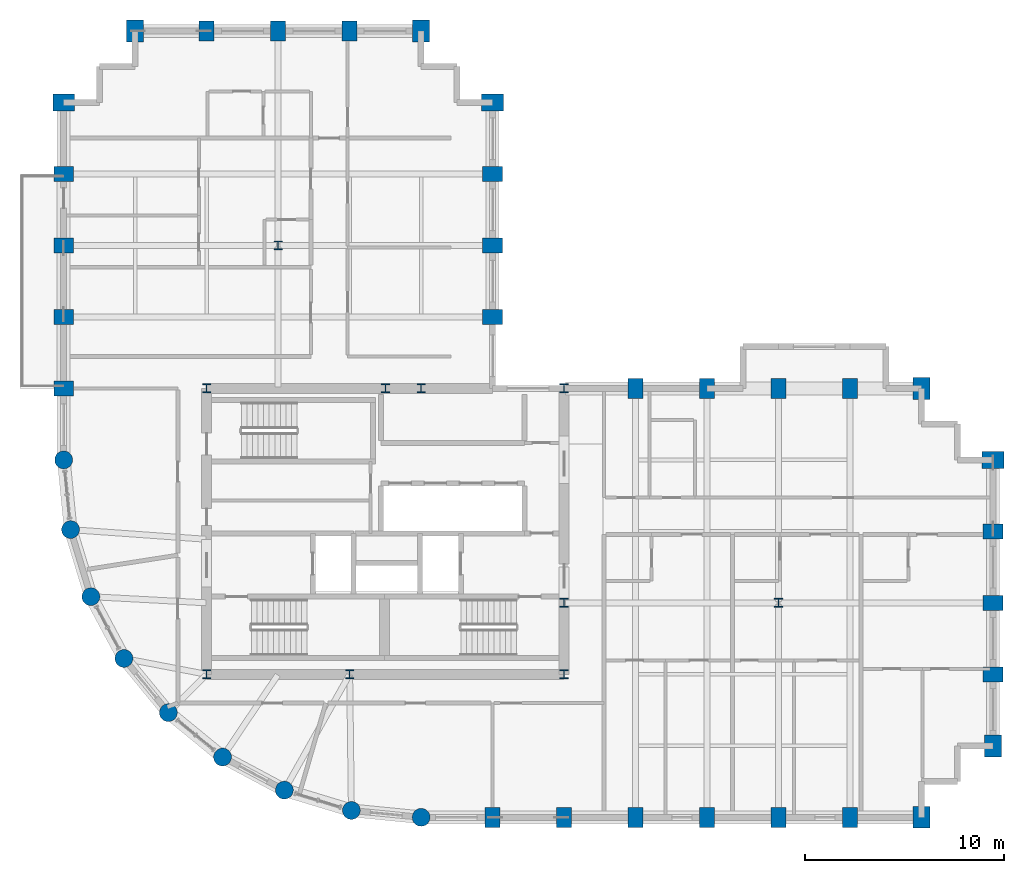
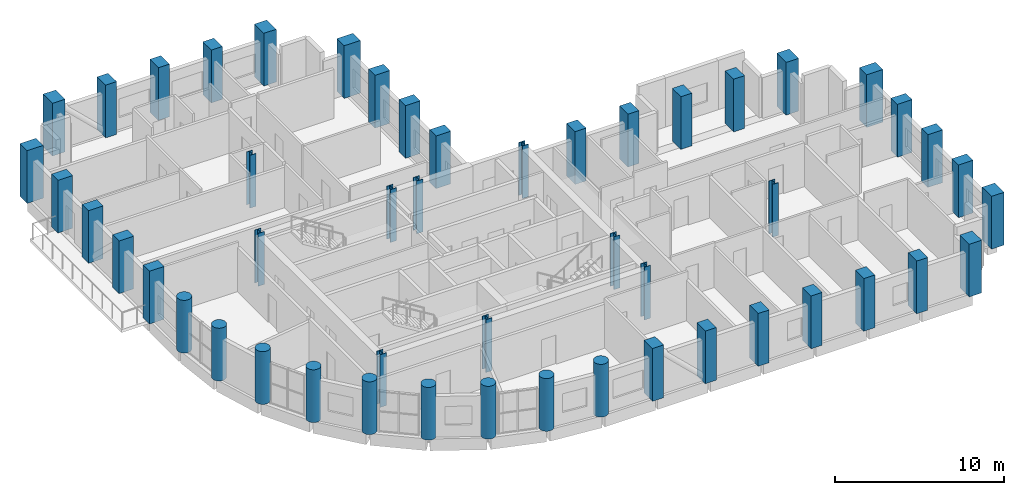
# One storey, part 1 of 15: 50 columns.
"""IFC4 building model written with IfcOpenShell, lengths in metres."""

from ifc_helpers import new_model, si_unit, direction, frame, origin, origin_2d, place, context, subcontext, project, spatial, rectangle, circle, i_section, extrude, material, material_profile, profile_set, type_object, element, save


model = new_model("IFC4")

# Units and contexts
model_context = context("Model", 3, precision=1e-05, world=origin(), true_north=direction((0.0, 1.0)))
body_context = subcontext(model_context, "Body", "Model", "MODEL_VIEW")
ifc_project = project(units=[si_unit("LENGTHUNIT", "METRE"), si_unit("AREAUNIT", "SQUARE_METRE"), si_unit("VOLUMEUNIT", "CUBIC_METRE"), si_unit("PLANEANGLEUNIT", "RADIAN"), si_unit("MASSUNIT", "GRAM", prefix="KILO")], contexts=[model_context])

# Site, building, storey
site_placement = place(None, origin())
site = spatial("IfcSite", under=ifc_project, at=site_placement, CompositionType="ELEMENT")
building_placement = place(site_placement, origin())
building = spatial("IfcBuilding", under=site, at=building_placement, Name="Solnavia Interchange Tower", CompositionType="ELEMENT")
storey_placement = place(building_placement, frame((0.0, 0.0, 146.60009765625)))
storey = spatial("IfcBuildingStorey", under=building, at=storey_placement, Name="L36", CompositionType="ELEMENT", Elevation=146.60009765625)

# Columns
ifc_material_1 = material(Name="Concrete C50/60", Category="concrete")
ifc_material_profile_1 = material_profile(ifc_material_1, rectangle(XDim=0.75, YDim=1.0, at=origin_2d()), Name="RC 1000x750")
ifc_profile_set_1 = profile_set([ifc_material_profile_1], Name="Concrete C50/60")
column_type_1 = type_object("IfcColumnType", Name="Col-RC-1000x750", PredefinedType="COLUMN", material=ifc_profile_set_1)
for number, where, z_axis, x_axis, name in (
    (1, (7.199951171875, 25.199951171875, 0.0), (0.0, 0.0, 1.0), (0.0, 1.0, 0.0), "COL-L36-02 Tower perim y column"),
    (2, (7.199951171875, 28.800048828125, 0.0), (0.0, 0.0, 1.0), (0.0, 1.0, 0.0), "COL-L36-03 Tower perim y column"),
    (3, (7.199951171875, 32.39990234375, 0.0), (0.0, 0.0, 1.0), (0.0, 1.0, 0.0), "COL-L36-04 Tower perim y column"),
    (4, (7.199951171875, 36.0, 0.0), (0.0, 0.0, 1.0), (0.0, 1.0, 0.0), "COL-L36-05 Tower perim y column"),
    (5, (14.39990234375, 43.199951171875, 0.0), (0.0, 0.0, 1.0), (1.0, 0.0, 0.0), "COL-L36-14 Tower perim x column"),
    (6, (18.0, 43.199951171875, 0.0), (0.0, 0.0, 1.0), (1.0, 0.0, 0.0), "COL-L36-17 Tower perim x column"),
    (7, (21.60009765625, 43.199951171875, 0.0), (0.0, 0.0, 1.0), (1.0, 0.0, 0.0), "COL-L36-20 Tower perim x column"),
    (8, (28.800048828125, 3.60009765625, 0.0), (0.0, 0.0, 1.0), (1.0, 0.0, 0.0), "COL-L36-26 Tower perim x column"),
    (9, (28.800048828125, 28.800048828125, 0.0), (0.0, 0.0, 1.0), (0.0, 1.0, 0.0), "COL-L36-27 Tower perim y column"),
    (10, (28.800048828125, 32.39990234375, 0.0), (0.0, 0.0, 1.0), (0.0, 1.0, 0.0), "COL-L36-28 Tower perim y column"),
    (11, (28.800048828125, 36.0, 0.0), (0.0, 0.0, 1.0), (0.0, 1.0, 0.0), "COL-L36-29 Tower perim y column"),
    (12, (32.39990234375, 3.60009765625, 0.0), (0.0, 0.0, 1.0), (1.0, 0.0, 0.0), "COL-L36-31 Tower perim x column"),
    (13, (36.0, 3.60009765625, 0.0), (0.0, 0.0, 1.0), (1.0, 0.0, 0.0), "COL-L36-35 Tower perim x column"),
    (14, (36.0, 25.199951171875, 0.0), (0.0, 0.0, 1.0), (1.0, 0.0, 0.0), "COL-L36-36 Tower perim x column"),
    (15, (39.60009765625, 3.60009765625, 0.0), (0.0, 0.0, 1.0), (1.0, 0.0, 0.0), "COL-L36-37 Tower perim x column"),
    (16, (39.60009765625, 25.199951171875, 0.0), (0.0, 0.0, 1.0), (1.0, 0.0, 0.0), "COL-L36-38 Tower perim x column"),
    (17, (43.199951171875, 3.60009765625, 0.0), (0.0, 0.0, 1.0), (1.0, 0.0, 0.0), "COL-L36-39 Tower perim x column"),
    (18, (43.199951171875, 25.199951171875, 0.0), (0.0, 0.0, 1.0), (1.0, 0.0, 0.0), "COL-L36-41 Tower perim x column"),
    (19, (46.800048828125, 3.60009765625, 0.0), (0.0, 0.0, 1.0), (1.0, 0.0, 0.0), "COL-L36-42 Tower perim x column"),
    (20, (46.800048828125, 25.199951171875, 0.0), (0.0, 0.0, 1.0), (1.0, 0.0, 0.0), "COL-L36-43 Tower perim x column"),
    (21, (54.0, 10.800048828125, 0.0), (0.0, 0.0, 1.0), (0.0, 1.0, 0.0), "COL-L36-47 Tower perim y column"),
    (22, (54.0, 14.39990234375, 0.0), (0.0, 0.0, 1.0), (0.0, 1.0, 0.0), "COL-L36-48 Tower perim y column"),
    (23, (54.0, 18.0, 0.0), (0.0, 0.0, 1.0), (0.0, 1.0, 0.0), "COL-L36-49 Tower perim y column"),
):
    element("IfcColumn", number, at=place(storey_placement, frame(where, z_axis=z_axis, x_axis=x_axis)), inside=storey, type_object=column_type_1, Name=name, PredefinedType="COLUMN", context=body_context, shape_type="SweptSolid", body=[
        extrude(rectangle(XDim=0.75, YDim=1.0, at=origin_2d()), origin(), (0.0, 0.0, 1.0), 3.7998046875),
    ])
ifc_material_profile_2 = material_profile(ifc_material_1, rectangle(XDim=0.85009765625, YDim=1.10009765625, at=origin_2d()), Name="RC 1100x850")
ifc_profile_set_2 = profile_set([ifc_material_profile_2], Name="Concrete C50/60")
column_type_2 = type_object("IfcColumnType", Name="Col-RC-1100x850", PredefinedType="COLUMN", material=ifc_profile_set_2)
for number, where, z_axis, x_axis, name in (
    (24, (7.199951171875, 39.60009765625, 0.0), (0.0, 0.0, 1.0), (0.0, 1.0, 0.0), "COL-L36-06 Tower corner column"),
    (25, (10.800048828125, 43.199951171875, 0.0), (0.0, 0.0, 1.0), (1.0, 0.0, 0.0), "COL-L36-10 Tower corner column"),
    (26, (25.199951171875, 43.199951171875, 0.0), (0.0, 0.0, 1.0), (1.0, 0.0, 0.0), "COL-L36-25 Tower corner column"),
    (27, (28.800048828125, 39.60009765625, 0.0), (0.0, 0.0, 1.0), (0.0, 1.0, 0.0), "COL-L36-30 Tower corner column"),
    (28, (50.39990234375, 3.60009765625, 0.0), (0.0, 0.0, 1.0), (1.0, 0.0, 0.0), "COL-L36-44 Tower corner column"),
    (29, (50.39990234375, 25.199951171875, 0.0), (0.0, 0.0, 1.0), (1.0, 0.0, 0.0), "COL-L36-45 Tower corner column"),
    (30, (54.0, 7.199951171875, 0.0), (0.0, 0.0, 1.0), (1.0, 0.0, 0.0), "COL-L36-46 Tower corner column"),
    (31, (54.0, 21.60009765625, 0.0), (0.0, 0.0, 1.0), (0.0, 1.0, 0.0), "COL-L36-50 Tower corner column"),
):
    element("IfcColumn", number, at=place(storey_placement, frame(where, z_axis=z_axis, x_axis=x_axis)), inside=storey, type_object=column_type_2, Name=name, PredefinedType="COLUMN", context=body_context, shape_type="SweptSolid", body=[
        extrude(rectangle(XDim=0.85009765625, YDim=1.10009765625, at=origin_2d()), origin(), (0.0, 0.0, 1.0), 3.7998046875),
    ])
ifc_material_profile_3 = material_profile(ifc_material_1, circle(Radius=0.449951171875, at=origin_2d()), Name="RC D900")
ifc_profile_set_3 = profile_set([ifc_material_profile_3], Name="Concrete C50/60")
column_type_3 = type_object("IfcColumnType", Name="Col-RC-D900", PredefinedType="COLUMN", material=ifc_profile_set_3)
for number, where, z_axis, x_axis, name in (
    (32, (7.199951171875, 21.60009765625, 0.0), (0.0, 0.0, 1.0), (1.0, 0.0, 0.0), "COL-L36-01 Tower drum column"),
    (33, (7.5458984375, 18.087890625, 0.0), (0.0, 0.0, 1.0), (1.0, 0.0, 0.0), "COL-L36-07 Tower drum column"),
    (34, (8.570068359375, 14.7119140625, 0.0), (0.0, 0.0, 1.0), (1.0, 0.0, 0.0), "COL-L36-08 Tower drum column"),
    (35, (10.23388671875, 11.60009765625, 0.0), (0.0, 0.0, 1.0), (1.0, 0.0, 0.0), "COL-L36-09 Tower drum column"),
    (36, (12.471923828125, 8.8720703125, 0.0), (0.0, 0.0, 1.0), (1.0, 0.0, 0.0), "COL-L36-11 Tower drum column"),
    (37, (15.199951171875, 6.634033203125, 0.0), (0.0, 0.0, 1.0), (1.0, 0.0, 0.0), "COL-L36-15 Tower drum column"),
    (38, (18.31201171875, 4.969970703125, 0.0), (0.0, 0.0, 1.0), (1.0, 0.0, 0.0), "COL-L36-18 Tower drum column"),
    (39, (21.68798828125, 3.946044921875, 0.0), (0.0, 0.0, 1.0), (1.0, 0.0, 0.0), "COL-L36-21 Tower drum column"),
    (40, (25.199951171875, 3.60009765625, 0.0), (0.0, 0.0, 1.0), (1.0, 0.0, 0.0), "COL-L36-23 Tower drum column"),
):
    element("IfcColumn", number, at=place(storey_placement, frame(where, z_axis=z_axis, x_axis=x_axis)), inside=storey, type_object=column_type_3, Name=name, PredefinedType="COLUMN", context=body_context, shape_type="SweptSolid", body=[
        extrude(circle(Radius=0.449951171875, at=origin_2d()), origin(), (0.0, 0.0, 1.0), 3.7998046875),
    ])
ifc_material_2 = material(Name="Steel S355", Category="steel")
ifc_material_profile_4 = material_profile(ifc_material_2, i_section(OverallWidth=0.416015625, OverallDepth=0.44189453125, WebThickness=0.02490234375, FlangeThickness=0.041015625, FilletRadius=0.014892578125, at=origin_2d()), Name="HD 400x382")
ifc_profile_set_4 = profile_set([ifc_material_profile_4], Name="Steel S355")
column_type_4 = type_object("IfcColumnType", Name="Col-Steel-HD400x382", PredefinedType="COLUMN", material=ifc_profile_set_4)
for number, where, z_axis, x_axis, name in (
    (41, (14.39990234375, 10.800048828125, 0.0), (0.0, 0.0, 1.0), (1.0, 0.0, 0.0), "COL-L36-12 Tower interior column"),
    (42, (14.39990234375, 25.199951171875, 0.0), (0.0, 0.0, 1.0), (1.0, 0.0, 0.0), "COL-L36-13 Tower interior column"),
    (43, (18.0, 32.39990234375, 0.0), (0.0, 0.0, 1.0), (1.0, 0.0, 0.0), "COL-L36-16 Tower interior column"),
    (44, (21.60009765625, 10.800048828125, 0.0), (0.0, 0.0, 1.0), (1.0, 0.0, 0.0), "COL-L36-19 Tower interior column"),
    (45, (23.39990234375, 25.199951171875, 0.0), (0.0, 0.0, 1.0), (1.0, 0.0, 0.0), "COL-L36-22 Tower interior column"),
    (46, (25.199951171875, 25.199951171875, 0.0), (0.0, 0.0, 1.0), (1.0, 0.0, 0.0), "COL-L36-24 Tower interior column"),
    (47, (32.39990234375, 10.800048828125, 0.0), (0.0, 0.0, 1.0), (1.0, 0.0, 0.0), "COL-L36-32 Tower interior column"),
    (48, (32.39990234375, 14.39990234375, 0.0), (0.0, 0.0, 1.0), (1.0, 0.0, 0.0), "COL-L36-33 Tower interior column"),
    (49, (32.39990234375, 25.199951171875, 0.0), (0.0, 0.0, 1.0), (1.0, 0.0, 0.0), "COL-L36-34 Tower interior column"),
    (50, (43.199951171875, 14.39990234375, 0.0), (0.0, 0.0, 1.0), (1.0, 0.0, 0.0), "COL-L36-40 Tower interior column"),
):
    element("IfcColumn", number, at=place(storey_placement, frame(where, z_axis=z_axis, x_axis=x_axis)), inside=storey, type_object=column_type_4, Name=name, PredefinedType="COLUMN", context=body_context, shape_type="SweptSolid", body=[
        extrude(i_section(OverallWidth=0.416015625, OverallDepth=0.44189453125, WebThickness=0.02490234375, FlangeThickness=0.041015625, FilletRadius=0.014892578125, at=origin_2d()), origin(), (0.0, 0.0, 1.0), 3.7998046875),
    ])

save(model, "model.ifc")
